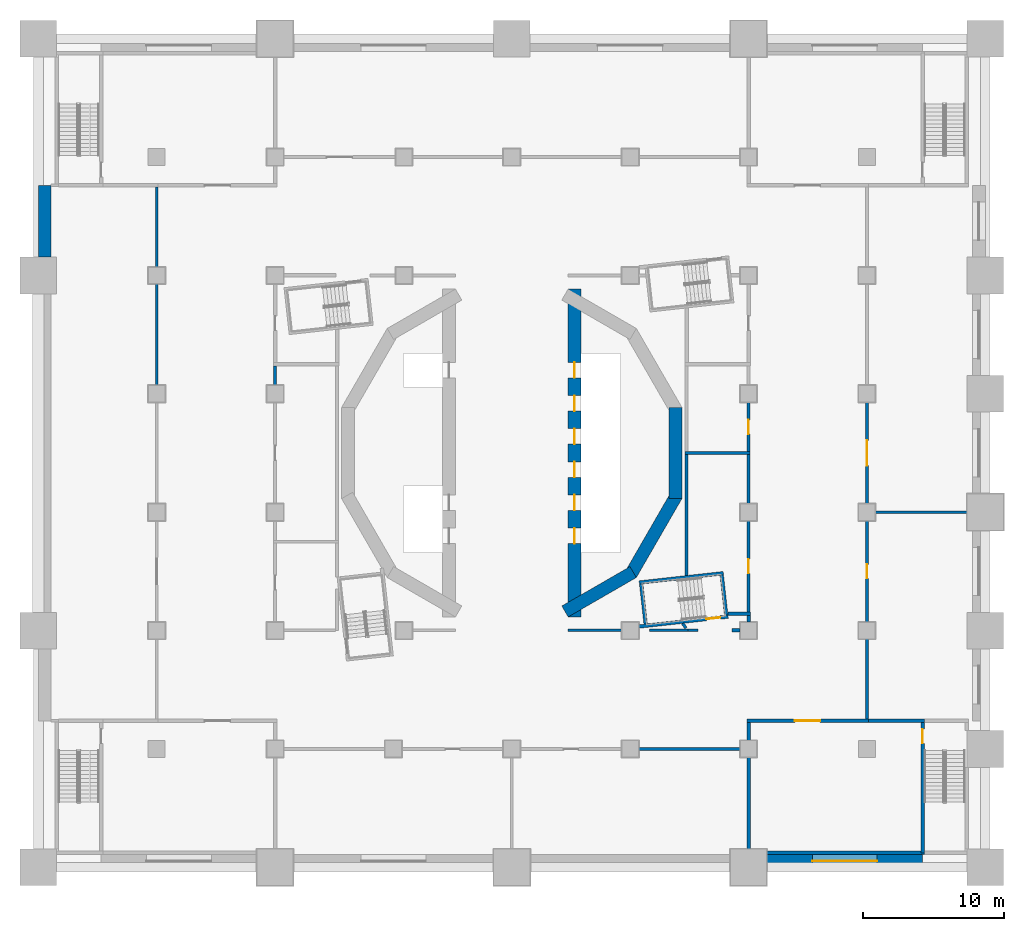
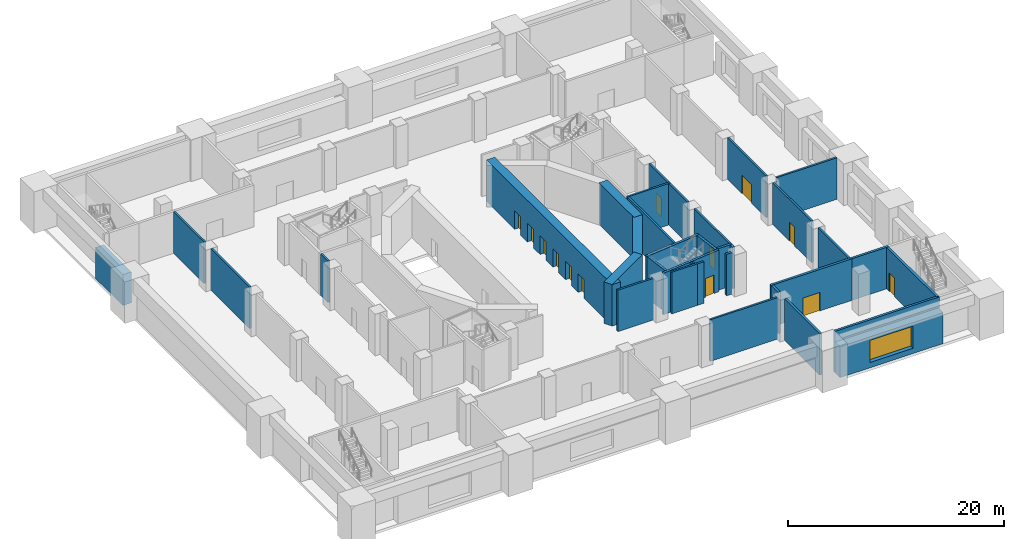
# One storey, part 3 of 17: 36 walls, 13 doors, 1 window, 14 openings.
"""IFC4 building model written with IfcOpenShell, lengths in metres."""

import ifcopenshell
import ifcopenshell.guid

model = None  # the IFC model being written
_history = None  # IfcOwnerHistory: only IFC2X3 demands one
_inside = {}  # id of a spatial element -> (the spatial element, [elements in it])
_under = {}  # id of a project, library or spatial element -> (it, [spatial elements below it])
_declared = {}  # id of a project -> (the project, [libraries it declares])
_typed = {}  # id of a type object -> (the type object, [elements of that type])
_made_of = {}  # id of a material, layer set ... -> (it, [elements and type objects made of it])


def new_model(schema):
    """Start an empty IFC model of exactly this schema.

    Asked for "IFC4X3", IfcOpenShell would pick the latest addendum, in which some entities
    have other attributes; the version numbers below select the first issue.
    IFC2X3 requires an IfcOwnerHistory on every rooted entity: one is made here for all.
    """
    global model, _history
    if schema == "IFC4X3":
        model = ifcopenshell.file(schema_version=(4, 3, 0, 0))
    else:
        model = ifcopenshell.file(schema=schema)
    _inside.clear()
    _under.clear()
    _declared.clear()
    _typed.clear()
    _made_of.clear()
    _history = None
    if model.schema == "IFC2X3":
        org = make("IfcOrganization", Name="unknown")
        user = make(
            "IfcPersonAndOrganization",
            ThePerson=make("IfcPerson", FamilyName="unknown"),
            TheOrganization=org,
        )
        app = make(
            "IfcApplication",
            ApplicationDeveloper=org,
            Version="unknown",
            ApplicationFullName="unknown",
            ApplicationIdentifier="unknown",
        )
        _history = make(
            "IfcOwnerHistory",
            OwningUser=user,
            OwningApplication=app,
            ChangeAction="ADDED",
            CreationDate=0,
        )
    return model


def make(cls, **values):
    """One entity of the class cls with the attributes given. An attribute that is None is left unset."""
    return model.create_entity(
        cls, **{name: value for name, value in values.items() if value is not None}
    )


def rooted(cls, **values):
    """An entity with a GlobalId (a new one), such as an element, a storey or a relation."""
    return make(cls, GlobalId=ifcopenshell.guid.new(), OwnerHistory=_history, **values)


def si_unit(unit_type, name, prefix=None):
    """IfcSIUnit, for example si_unit("LENGTHUNIT", "METRE", prefix="MILLI")."""
    return make("IfcSIUnit", UnitType=unit_type, Prefix=prefix, Name=name)


def assignment(units):
    """IfcUnitAssignment: the units of a project."""
    return None if units is None else make("IfcUnitAssignment", Units=units)


def point(xyz):
    """IfcCartesianPoint."""
    return None if xyz is None else make("IfcCartesianPoint", Coordinates=xyz)


def direction(xyz):
    """IfcDirection."""
    return None if xyz is None else make("IfcDirection", DirectionRatios=xyz)


def frame(location, z_axis=None, x_axis=None):
    """IfcAxis2Placement3D, a coordinate frame: its origin and axes. An axis left out is left unset."""
    return make(
        "IfcAxis2Placement3D",
        Location=point(location),
        Axis=direction(z_axis),
        RefDirection=direction(x_axis),
    )


def frame_2d(location, x_axis=None):
    """IfcAxis2Placement2D, a coordinate frame in the plane: its origin and x axis."""
    return make(
        "IfcAxis2Placement2D", Location=point(location), RefDirection=direction(x_axis)
    )


def origin():
    """The frame at (0, 0, 0) with its axes left unset."""
    return frame((0.0, 0.0, 0.0))


def place(relative_to, where):
    """IfcLocalPlacement: puts the frame where relative to a parent placement (None: the world)."""
    return make(
        "IfcLocalPlacement", PlacementRelTo=relative_to, RelativePlacement=where
    )


def context(
    kind, dimensions, precision=None, world=None, true_north=None, identifier=None
):
    """IfcGeometricRepresentationContext, for example the 3D "Model" context."""
    return make(
        "IfcGeometricRepresentationContext",
        ContextIdentifier=identifier,
        ContextType=kind,
        CoordinateSpaceDimension=dimensions,
        Precision=precision,
        WorldCoordinateSystem=world,
        TrueNorth=true_north,
    )


def subcontext(parent, identifier, kind, view, scale=None):
    """IfcGeometricRepresentationSubContext, for example "Body" below "Model"."""
    return make(
        "IfcGeometricRepresentationSubContext",
        ContextIdentifier=identifier,
        ContextType=kind,
        ParentContext=parent,
        TargetScale=scale,
        TargetView=view,
    )


def project(units=None, contexts=None):
    """IfcProject with its units and contexts."""
    return rooted(
        "IfcProject",
        Name="project",
        RepresentationContexts=contexts,
        UnitsInContext=assignment(units),
    )


def spatial(cls, under=None, at=None, **own):
    """A site, building, storey or space (cls), placed at a placement, below another one or the project."""
    s = rooted(cls, ObjectPlacement=at, **own)
    if under is not None:
        _under.setdefault(under.id(), (under, []))[1].append(s)
    return s


def profile(cls, at=None, kind="AREA", **sizes):
    """A parametric profile (cls). Its sizes go by their IFC names, for example OverallWidth=200.0."""
    return make(cls, ProfileType=kind, Position=at, **sizes)


def rectangle(**sizes):
    """IfcRectangleProfileDef."""
    return profile("IfcRectangleProfileDef", **sizes)


def extrude(swept, where, along, depth):
    """IfcExtrudedAreaSolid: the profile swept, set in the frame where, extruded along a direction by depth."""
    return make(
        "IfcExtrudedAreaSolid",
        SweptArea=swept,
        Position=where,
        ExtrudedDirection=direction(along),
        Depth=depth,
    )


def shape(context_of_items, identifier, shape_type, items):
    """IfcShapeRepresentation: the items that make up one representation, for example the "Body"."""
    return make(
        "IfcShapeRepresentation",
        ContextOfItems=context_of_items,
        RepresentationIdentifier=identifier,
        RepresentationType=shape_type,
        Items=items,
    )


def material(Name=None, Category=None):
    """IfcMaterial."""
    return make("IfcMaterial", Name=Name, Category=Category)


def layer(
    of_material, thickness, ventilated=None, Name=None, Category=None, Priority=None
):
    """IfcMaterialLayer: one layer of a wall or slab, of a material (None: an air gap)."""
    return make(
        "IfcMaterialLayer",
        Material=of_material,
        LayerThickness=thickness,
        IsVentilated=ventilated,
        Name=Name,
        Category=Category,
        Priority=Priority,
    )


def layer_set(layers, Name=None):
    """IfcMaterialLayerSet."""
    return make("IfcMaterialLayerSet", MaterialLayers=layers, LayerSetName=Name)


def made_of(thing, what):
    """Note that an element or type object is made of a material, layer set ...; save() writes the relation."""
    if what is not None:
        _made_of.setdefault(what.id(), (what, []))[1].append(thing)
    return thing


def type_object(cls, material=None, **own):
    """A type object (cls), such as IfcWallType, which elements share."""
    return made_of(rooted(cls, **own), material)


def element(
    cls,
    number,
    at=None,
    inside=None,
    cuts=None,
    type_object=None,
    material=None,
    context=None,
    identifier="Body",
    shape_type=None,
    held_by="IfcProductDefinitionShape",
    body=None,
    shapes=None,
    **own,
):
    """One element of the class cls, such as IfcWall. Its Tag is "e" and its number.

    at: its placement. inside: the storey or other place that contains it. cuts: it is an
    opening in that element (IfcRelVoidsElement). A single representation is given by context,
    identifier, shape_type and body (its items); several are given by shapes. held_by: the class
    of the entity that holds the representations. save() writes the other relations.
    """
    e = rooted(cls, Tag="e%d" % number, ObjectPlacement=at, **own)
    if body is not None:
        shapes = [shape(context, identifier, shape_type, body)]
    if shapes is not None:
        e.Representation = make(held_by, Representations=shapes)
    if inside is not None:
        _inside.setdefault(inside.id(), (inside, []))[1].append(e)
    if cuts is not None:
        rooted(
            "IfcRelVoidsElement", RelatingBuildingElement=cuts, RelatedOpeningElement=e
        )
    if type_object is not None:
        _typed.setdefault(type_object.id(), (type_object, []))[1].append(e)
    return made_of(e, material)


def fill(opening, filler):
    """IfcRelFillsElement: the door or window that sits in an opening."""
    return rooted(
        "IfcRelFillsElement",
        RelatingOpeningElement=opening,
        RelatedBuildingElement=filler,
    )


def aggregate(whole, parts):
    """IfcRelAggregates: a whole, such as a stair, and the parts it consists of."""
    return rooted("IfcRelAggregates", RelatingObject=whole, RelatedObjects=parts)


def save(model, path):
    """Write the relations noted so far, then the file.

    IfcRelAggregates (storeys below a building ...), IfcRelContainedInSpatialStructure (elements
    in a storey), IfcRelDefinesByType, IfcRelAssociatesMaterial and IfcRelDeclares: one each for
    every whole, place, type object, material and project.
    """
    for whole, parts in _under.values():
        aggregate(whole, parts)
    for where, things in _inside.values():
        rooted(
            "IfcRelContainedInSpatialStructure",
            RelatedElements=things,
            RelatingStructure=where,
        )
    for kind, things in _typed.values():
        rooted("IfcRelDefinesByType", RelatedObjects=things, RelatingType=kind)
    for what, things in _made_of.values():
        rooted("IfcRelAssociatesMaterial", RelatedObjects=things, RelatingMaterial=what)
    for by, libraries in _declared.values():
        rooted("IfcRelDeclares", RelatingContext=by, RelatedDefinitions=libraries)
    model.write(path)


model = new_model("IFC4")

# Units and contexts
model_context = context("Model", 3, precision=1e-05, world=origin(), true_north=direction((0.0, 1.0)))
body_context = subcontext(model_context, "Body", "Model", "MODEL_VIEW")
ifc_project = project(units=[si_unit("LENGTHUNIT", "METRE"), si_unit("AREAUNIT", "SQUARE_METRE"), si_unit("VOLUMEUNIT", "CUBIC_METRE"), si_unit("PLANEANGLEUNIT", "RADIAN"), si_unit("MASSUNIT", "GRAM", prefix="KILO")], contexts=[model_context])

# Site, building, storey
site_placement = place(None, origin())
site = spatial("IfcSite", under=ifc_project, at=site_placement, CompositionType="ELEMENT")
building_placement = place(site_placement, origin())
building = spatial("IfcBuilding", under=site, at=building_placement, Name="Cantera Rosa Tower", CompositionType="ELEMENT")
storey_placement = place(building_placement, frame((0.0, 0.0, 27.0)))
storey = spatial("IfcBuildingStorey", under=building, at=storey_placement, Name="L04", CompositionType="ELEMENT", Elevation=27.0)

# Walls
ifc_material_1 = material(Name="Masonry blockwork", Category="masonry")
ifc_layer_1 = layer(ifc_material_1, 0.199951171875)
ifc_layer_set_1 = layer_set([ifc_layer_1], Name="Blockwork partition 200")
wall_type_1 = type_object("IfcWallType", Name="Blockwork partition 200", PredefinedType="PARTITIONING", material=ifc_layer_set_1)
wall_1_placement = place(storey_placement, frame((4.0, -12.57666015625, 0.0), z_axis=(0.0, 0.0, 1.0), x_axis=(1.0, 0.0, 0.0)))
element("IfcWall", 1, at=wall_1_placement, inside=storey, type_object=wall_type_1, Name="Partition L04-3", PredefinedType="PARTITIONING", context=body_context, shape_type="SweptSolid", body=[
    extrude(rectangle(XDim=3.800048828125, YDim=0.199951171875, at=frame_2d((1.89990234375, 0.0))), origin(), (0.0, 0.0, 1.0), 4.699951171875),
])
wall_2_placement = place(storey_placement, frame((9.768798828125, -12.57666015625, 0.0), z_axis=(0.0, 0.0, 1.0), x_axis=(1.0, 0.0, 0.0)))
element("IfcWall", 2, at=wall_2_placement, inside=storey, type_object=wall_type_1, Name="Partition L04-4", PredefinedType="PARTITIONING", context=body_context, shape_type="SweptSolid", body=[
    extrude(rectangle(XDim=2.731201171875, YDim=0.199951171875, at=frame_2d((1.36572265625, 0.0))), origin(), (0.0, 0.0, 1.0), 4.699951171875),
])
wall_3_placement = place(storey_placement, frame((12.5, -12.57666015625, 0.0), z_axis=(0.0, 0.0, 1.0), x_axis=(1.0, 0.0, 0.0)))
element("IfcWall", 3, at=wall_3_placement, inside=storey, type_object=wall_type_1, Name="Partition L04-5", PredefinedType="PARTITIONING", context=body_context, shape_type="SweptSolid", body=[
    extrude(rectangle(XDim=0.69873046875, YDim=0.199951171875, at=frame_2d((0.349365234375, 0.0))), origin(), (0.0, 0.0, 1.0), 4.699951171875),
])
wall_4_placement = place(storey_placement, frame((12.36474609375, -12.427978515625, 0.0), z_axis=(0.0, 0.0, 1.0), x_axis=(-0.586657106045, 0.809835440029, 0.0)))
element("IfcWall", 4, at=wall_4_placement, inside=storey, type_object=wall_type_1, Name="Partition L04-17", PredefinedType="PARTITIONING", context=body_context, shape_type="SweptSolid", body=[
    extrude(rectangle(XDim=0.412353515625, YDim=0.199951171875, at=frame_2d((0.2060546875, 0.0))), origin(), (0.0, 0.0, 1.0), 4.699951171875),
])
wall_5_placement = place(storey_placement, frame((12.39990234375, -8.6923828125, 0.0), z_axis=(0.0, 0.0, 1.0), x_axis=(0.0, 1.0, 0.0)))
element("IfcWall", 5, at=wall_5_placement, inside=storey, type_object=wall_type_1, Name="Partition L04-18", PredefinedType="PARTITIONING", context=body_context, shape_type="SweptSolid", body=[
    extrude(rectangle(XDim=8.59228515625, YDim=0.199951171875, at=frame_2d((4.296142578125, 0.0))), origin(), (0.0, 0.0, 1.0), 4.699951171875),
])
wall_6_placement = place(storey_placement, frame((12.300048828125, 0.0, 0.0), z_axis=(0.0, 0.0, 1.0), x_axis=(1.0, 0.0, 0.0)))
element("IfcWall", 6, at=wall_6_placement, inside=storey, type_object=wall_type_1, Name="Partition L04-21", PredefinedType="PARTITIONING", context=body_context, shape_type="SweptSolid", body=[
    extrude(rectangle(XDim=4.599853515625, YDim=0.199951171875, at=frame_2d((2.2998046875, 0.0))), origin(), (0.0, 0.0, 1.0), 4.699951171875),
])

# Wall, opening, door
wall_7_placement = place(storey_placement, frame((16.800048828125, -11.27490234375, 0.0), z_axis=(0.0, 0.0, 1.0), x_axis=(0.0, 1.0, 0.0)))
wall_7 = element("IfcWall", 7, at=wall_7_placement, inside=storey, type_object=wall_type_1, Name="Partition L04-25", PredefinedType="PARTITIONING", context=body_context, shape_type="SweptSolid", body=[
    extrude(rectangle(XDim=6.474853515625, YDim=0.199951171875, at=frame_2d((3.2373046875, 0.0))), origin(), (0.0, 0.0, 1.0), 4.699951171875),
])
opening_1_placement = place(wall_7_placement, frame((2.737548828125, 0.0, 0.0)))
opening_1 = element("IfcOpeningElement", 8, at=opening_1_placement, cuts=wall_7, Name="Opening L04-007", PredefinedType="OPENING", context=body_context, shape_type="SweptSolid", body=[
    extrude(rectangle(XDim=1.0, YDim=2.10009765625, at=frame_2d((0.5, 1.050048828125))), frame((0.0, 0.10986328125, 0.0), z_axis=(0.0, -1.0, 0.0), x_axis=(1.0, 0.0, 0.0)), (0.0, 0.0, 1.0), 0.219970703125),
])
ifc_material_2 = material(Name="Timber", Category="wood")
door_type_1 = type_object("IfcDoorType", Name="Door 1000x2100", OperationType="NOTDEFINED", PredefinedType="DOOR", material=ifc_material_2)
door_1_placement = place(opening_1_placement, origin())
door_1 = element("IfcDoor", 9, at=door_1_placement, inside=storey, type_object=door_type_1, Name="Door L04-007", OverallHeight=2.10009765625, OverallWidth=1.0, PredefinedType="DOOR", context=body_context, shape_type="SweptSolid", body=[
    extrude(rectangle(XDim=1.0, YDim=2.10009765625, at=frame_2d((0.5, 1.050048828125))), frame((0.0, 0.02490234375, 0.0), z_axis=(0.0, -1.0, 0.0), x_axis=(1.0, 0.0, 0.0)), (0.0, 0.0, 1.0), 0.050048828125),
])
fill(opening_1, door_1)

# Wall
wall_8_placement = place(storey_placement, frame((16.800048828125, -3.60009765625, 0.0), z_axis=(0.0, 0.0, 1.0), x_axis=(0.0, 1.0, 0.0)))
element("IfcWall", 10, at=wall_8_placement, inside=storey, type_object=wall_type_1, Name="Partition L04-26", PredefinedType="PARTITIONING", context=body_context, shape_type="SweptSolid", body=[
    extrude(rectangle(XDim=3.5, YDim=0.199951171875, at=frame_2d((1.75, 0.0))), origin(), (0.0, 0.0, 1.0), 4.699951171875),
])

# Wall, opening, door
wall_9_placement = place(storey_placement, frame((16.800048828125, 0.10009765625, 0.0), z_axis=(0.0, 0.0, 1.0), x_axis=(0.0, 1.0, 0.0)))
wall_9 = element("IfcWall", 11, at=wall_9_placement, inside=storey, type_object=wall_type_1, Name="Partition L04-27", PredefinedType="PARTITIONING", context=body_context, shape_type="SweptSolid", body=[
    extrude(rectangle(XDim=3.5, YDim=0.199951171875, at=frame_2d((1.75, 0.0))), origin(), (0.0, 0.0, 1.0), 4.699951171875),
])
opening_2_placement = place(wall_9_placement, frame((1.25, 0.0, 0.0)))
opening_2 = element("IfcOpeningElement", 12, at=opening_2_placement, cuts=wall_9, Name="Opening L04-008", PredefinedType="OPENING", context=body_context, shape_type="SweptSolid", body=[
    extrude(rectangle(XDim=1.0, YDim=2.10009765625, at=frame_2d((0.5, 1.050048828125))), frame((0.0, 0.10986328125, 0.0), z_axis=(0.0, -1.0, 0.0), x_axis=(1.0, 0.0, 0.0)), (0.0, 0.0, 1.0), 0.219970703125),
])
door_2_placement = place(opening_2_placement, origin())
door_2 = element("IfcDoor", 13, at=door_2_placement, inside=storey, type_object=door_type_1, Name="Door L04-008", OverallHeight=2.10009765625, OverallWidth=1.0, PredefinedType="DOOR", context=body_context, shape_type="SweptSolid", body=[
    extrude(rectangle(XDim=1.0, YDim=2.10009765625, at=frame_2d((0.5, 1.050048828125))), frame((0.0, 0.02490234375, 0.0), z_axis=(0.0, -1.0, 0.0), x_axis=(1.0, 0.0, 0.0)), (0.0, 0.0, 1.0), 0.050048828125),
])
fill(opening_2, door_2)

# Walls
wall_10_placement = place(storey_placement, frame((-16.800048828125, 4.800048828125, 0.0), z_axis=(0.0, 0.0, 1.0), x_axis=(0.0, 1.0, 0.0)))
element("IfcWall", 14, at=wall_10_placement, inside=storey, type_object=wall_type_1, Name="Partition L04-40", PredefinedType="PARTITIONING", context=body_context, shape_type="SweptSolid", body=[
    extrude(rectangle(XDim=1.375, YDim=0.199951171875, at=frame_2d((0.6875, 0.0))), origin(), (0.0, 0.0, 1.0), 4.699951171875),
])
wall_11_placement = place(storey_placement, frame((9.0, -21.0, 0.0), z_axis=(0.0, 0.0, 1.0), x_axis=(1.0, 0.0, 0.0)))
element("IfcWall", 15, at=wall_11_placement, inside=storey, type_object=wall_type_1, Name="Partition L04-84", PredefinedType="PARTITIONING", context=body_context, shape_type="SweptSolid", body=[
    extrude(rectangle(XDim=7.199951171875, YDim=0.199951171875, at=frame_2d((3.60009765625, 0.0))), origin(), (0.0, 0.0, 1.0), 4.699951171875),
])
wall_12_placement = place(storey_placement, frame((25.800048828125, -4.199951171875, 0.0), z_axis=(0.0, 0.0, 1.0), x_axis=(1.0, 0.0, 0.0)))
element("IfcWall", 16, at=wall_12_placement, inside=storey, type_object=wall_type_1, Name="Partition L04-85", PredefinedType="PARTITIONING", context=body_context, shape_type="SweptSolid", body=[
    extrude(rectangle(XDim=6.5, YDim=0.199951171875, at=frame_2d((3.25, 0.0))), origin(), (0.0, 0.0, 1.0), 4.699951171875),
])
wall_13_placement = place(storey_placement, frame((25.199951171875, -18.875, 0.0), z_axis=(0.0, 0.0, 1.0), x_axis=(0.0, 1.0, 0.0)))
element("IfcWall", 17, at=wall_13_placement, inside=storey, type_object=wall_type_1, Name="Partition L04-86", PredefinedType="PARTITIONING", context=body_context, shape_type="SweptSolid", body=[
    extrude(rectangle(XDim=5.675048828125, YDim=0.199951171875, at=frame_2d((2.83740234375, 0.0))), origin(), (0.0, 0.0, 1.0), 4.699951171875),
])

# Wall, opening, door
wall_14_placement = place(storey_placement, frame((25.199951171875, -12.0, 0.0), z_axis=(0.0, 0.0, 1.0), x_axis=(0.0, 1.0, 0.0)))
wall_14 = element("IfcWall", 18, at=wall_14_placement, inside=storey, type_object=wall_type_1, Name="Partition L04-87", PredefinedType="PARTITIONING", context=body_context, shape_type="SweptSolid", body=[
    extrude(rectangle(XDim=7.199951171875, YDim=0.199951171875, at=frame_2d((3.60009765625, 0.0))), origin(), (0.0, 0.0, 1.0), 4.699951171875),
])
opening_3_placement = place(wall_14_placement, frame((3.10009765625, 0.0, 0.0)))
opening_3 = element("IfcOpeningElement", 19, at=opening_3_placement, cuts=wall_14, Name="Opening L04-004", PredefinedType="OPENING", context=body_context, shape_type="SweptSolid", body=[
    extrude(rectangle(XDim=1.0, YDim=2.10009765625, at=frame_2d((0.5, 1.050048828125))), frame((0.0, 0.10986328125, 0.0), z_axis=(0.0, -1.0, 0.0), x_axis=(1.0, 0.0, 0.0)), (0.0, 0.0, 1.0), 0.219970703125),
])
door_3_placement = place(opening_3_placement, origin())
door_3 = element("IfcDoor", 20, at=door_3_placement, inside=storey, type_object=door_type_1, Name="Door L04-004", OverallHeight=2.10009765625, OverallWidth=1.0, PredefinedType="DOOR", context=body_context, shape_type="SweptSolid", body=[
    extrude(rectangle(XDim=1.0, YDim=2.10009765625, at=frame_2d((0.5, 1.050048828125))), frame((0.0, 0.02490234375, 0.0), z_axis=(0.0, -1.0, 0.0), x_axis=(1.0, 0.0, 0.0)), (0.0, 0.0, 1.0), 0.050048828125),
])
fill(opening_3, door_3)

wall_15_placement = place(storey_placement, frame((25.199951171875, -3.60009765625, 0.0), z_axis=(0.0, 0.0, 1.0), x_axis=(0.0, 1.0, 0.0)))
wall_15 = element("IfcWall", 21, at=wall_15_placement, inside=storey, type_object=wall_type_1, Name="Partition L04-88", PredefinedType="PARTITIONING", context=body_context, shape_type="SweptSolid", body=[
    extrude(rectangle(XDim=7.2001953125, YDim=0.199951171875, at=frame_2d((3.60009765625, 0.0))), origin(), (0.0, 0.0, 1.0), 4.699951171875),
])
opening_4_placement = place(wall_15_placement, frame((2.699951171875, 0.0, 0.0)))
opening_4 = element("IfcOpeningElement", 22, at=opening_4_placement, cuts=wall_15, Name="Opening L04-005", PredefinedType="OPENING", context=body_context, shape_type="SweptSolid", body=[
    extrude(rectangle(XDim=1.800048828125, YDim=2.10009765625, at=frame_2d((0.89990234375, 1.050048828125))), frame((0.0, 0.10986328125, 0.0), z_axis=(0.0, -1.0, 0.0), x_axis=(1.0, 0.0, 0.0)), (0.0, 0.0, 1.0), 0.219970703125),
])
ifc_material_3 = material(Name="Timber", Category="wood")
door_type_2 = type_object("IfcDoorType", Name="Double door 1800x2100", OperationType="NOTDEFINED", PredefinedType="DOOR", material=ifc_material_3)
door_4_placement = place(opening_4_placement, origin())
door_4 = element("IfcDoor", 23, at=door_4_placement, inside=storey, type_object=door_type_2, Name="Door L04-005", OperationType="DOUBLE_DOOR_SINGLE_SWING", OverallHeight=2.10009765625, OverallWidth=1.800048828125, PredefinedType="DOOR", context=body_context, shape_type="SweptSolid", body=[
    extrude(rectangle(XDim=1.800048828125, YDim=2.10009765625, at=frame_2d((0.89990234375, 1.050048828125))), frame((0.0, 0.02490234375, 0.0), z_axis=(0.0, -1.0, 0.0), x_axis=(1.0, 0.0, 0.0)), (0.0, 0.0, 1.0), 0.050048828125),
])
fill(opening_4, door_4)

# Walls
wall_16_placement = place(storey_placement, frame((-25.199951171875, 4.800048828125, 0.0), z_axis=(0.0, 0.0, 1.0), x_axis=(0.0, 1.0, 0.0)))
element("IfcWall", 24, at=wall_16_placement, inside=storey, type_object=wall_type_1, Name="Partition L04-94", PredefinedType="PARTITIONING", context=body_context, shape_type="SweptSolid", body=[
    extrude(rectangle(XDim=7.199951171875, YDim=0.199951171875, at=frame_2d((3.60009765625, 0.0))), origin(), (0.0, 0.0, 1.0), 4.699951171875),
])
wall_17_placement = place(storey_placement, frame((-25.199951171875, 13.199951171875, 0.0), z_axis=(0.0, 0.0, 1.0), x_axis=(0.0, 1.0, 0.0)))
element("IfcWall", 25, at=wall_17_placement, inside=storey, type_object=wall_type_1, Name="Partition L04-95", PredefinedType="PARTITIONING", context=body_context, shape_type="SweptSolid", body=[
    extrude(rectangle(XDim=5.675048828125, YDim=0.199951171875, at=frame_2d((2.83740234375, 0.0))), origin(), (0.0, 0.0, 1.0), 4.699951171875),
])
ifc_material_4 = material(Name="Concrete C70/85", Category="concrete")
ifc_layer_2 = layer(ifc_material_4, 0.89990234375)
ifc_layer_set_2 = layer_set([ifc_layer_2], Name="Drum wall 900")
wall_type_2 = type_object("IfcWallType", Name="Drum wall 900", PredefinedType="SHEAR", material=ifc_layer_set_2)
wall_18_placement = place(storey_placement, frame((11.6240234375, 3.2353515625, 0.0), z_axis=(0.0, 0.0, 1.0), x_axis=(0.0, -1.0, 0.0)))
element("IfcWall", 26, at=wall_18_placement, inside=storey, type_object=wall_type_2, Name="Drum wall east 3 L04", PredefinedType="SHEAR", context=body_context, shape_type="SweptSolid", body=[
    extrude(rectangle(XDim=6.470703125, YDim=0.89990234375, at=frame_2d((3.2353515625, 0.0))), origin(), (0.0, 0.0, 1.0), 4.699951171875),
])
wall_19_placement = place(storey_placement, frame((11.684326171875, -3.01025390625, 0.0), z_axis=(0.0, 0.0, 1.0), x_axis=(-0.499990282633, -0.866031014036, 0.0)))
element("IfcWall", 27, at=wall_19_placement, inside=storey, type_object=wall_type_2, Name="Drum wall east 4 L04", PredefinedType="SHEAR", context=body_context, shape_type="SweptSolid", body=[
    extrude(rectangle(XDim=6.470458984375, YDim=0.89990234375, at=frame_2d((3.2353515625, 0.0))), origin(), (0.0, 0.0, 1.0), 4.699951171875),
])
wall_20_placement = place(storey_placement, frame((8.61376953125, -8.44921875, 0.0), z_axis=(0.0, 0.0, 1.0), x_axis=(-0.866026961591, -0.49999730179, 0.0)))
element("IfcWall", 28, at=wall_20_placement, inside=storey, type_object=wall_type_2, Name="Drum wall east 5 L04", PredefinedType="SHEAR", context=body_context, shape_type="SweptSolid", body=[
    extrude(rectangle(XDim=5.58740234375, YDim=0.89990234375, at=frame_2d((2.793701171875, 0.0))), origin(), (0.0, 0.0, 1.0), 4.699951171875),
])

# Wall, openings, doors
wall_21_placement = place(storey_placement, frame((4.449951171875, -11.632568359375, 0.0), z_axis=(0.0, 0.0, 1.0), x_axis=(0.0, 1.0, 0.0)))
wall_21 = element("IfcWall", 29, at=wall_21_placement, inside=storey, type_object=wall_type_2, Name="Drum wall east 6 L04", PredefinedType="SHEAR", context=body_context, shape_type="SweptSolid", body=[
    extrude(rectangle(XDim=23.26513671875, YDim=0.89990234375, at=frame_2d((11.632568359375, 0.0))), origin(), (0.0, 0.0, 1.0), 4.699951171875),
])
opening_5_placement = place(wall_21_placement, frame((7.5576171875, 0.0, 0.0)))
opening_5 = element("IfcOpeningElement", 30, at=opening_5_placement, cuts=wall_21, Name="Opening LD-FF1-L04", PredefinedType="OPENING", context=body_context, shape_type="SweptSolid", body=[
    extrude(rectangle(XDim=1.10009765625, YDim=2.10009765625, at=frame_2d((0.550048828125, 1.050048828125))), frame((0.0, 0.4599609375, 0.0), z_axis=(0.0, -1.0, 0.0), x_axis=(1.0, 0.0, 0.0)), (0.0, 0.0, 1.0), 0.919921875),
])
opening_6_placement = place(wall_21_placement, frame((9.907470703125, 0.0, 0.0)))
opening_6 = element("IfcOpeningElement", 31, at=opening_6_placement, cuts=wall_21, Name="Opening LD-FF2-L04", PredefinedType="OPENING", context=body_context, shape_type="SweptSolid", body=[
    extrude(rectangle(XDim=1.10009765625, YDim=2.10009765625, at=frame_2d((0.550048828125, 1.050048828125))), frame((0.0, 0.4599609375, 0.0), z_axis=(0.0, -1.0, 0.0), x_axis=(1.0, 0.0, 0.0)), (0.0, 0.0, 1.0), 0.919921875),
])
opening_7_placement = place(wall_21_placement, frame((12.257568359375, 0.0, 0.0)))
opening_7 = element("IfcOpeningElement", 32, at=opening_7_placement, cuts=wall_21, Name="Opening LD-P1-L04", PredefinedType="OPENING", context=body_context, shape_type="SweptSolid", body=[
    extrude(rectangle(XDim=1.10009765625, YDim=2.10009765625, at=frame_2d((0.550048828125, 1.050048828125))), frame((0.0, 0.4599609375, 0.0), z_axis=(0.0, -1.0, 0.0), x_axis=(1.0, 0.0, 0.0)), (0.0, 0.0, 1.0), 0.919921875),
])
opening_8_placement = place(wall_21_placement, frame((14.607421875, 0.0, 0.0)))
opening_8 = element("IfcOpeningElement", 33, at=opening_8_placement, cuts=wall_21, Name="Opening LD-P2-L04", PredefinedType="OPENING", context=body_context, shape_type="SweptSolid", body=[
    extrude(rectangle(XDim=1.10009765625, YDim=2.10009765625, at=frame_2d((0.550048828125, 1.050048828125))), frame((0.0, 0.4599609375, 0.0), z_axis=(0.0, -1.0, 0.0), x_axis=(1.0, 0.0, 0.0)), (0.0, 0.0, 1.0), 0.919921875),
])
opening_9_placement = place(wall_21_placement, frame((5.20751953125, 0.0, 0.0)))
opening_9 = element("IfcOpeningElement", 34, at=opening_9_placement, cuts=wall_21, Name="Opening LD-P6-L04", PredefinedType="OPENING", context=body_context, shape_type="SweptSolid", body=[
    extrude(rectangle(XDim=1.10009765625, YDim=2.10009765625, at=frame_2d((0.550048828125, 1.050048828125))), frame((0.0, 0.4599609375, 0.0), z_axis=(0.0, -1.0, 0.0), x_axis=(1.0, 0.0, 0.0)), (0.0, 0.0, 1.0), 0.919921875),
])
opening_10_placement = place(wall_21_placement, frame((16.95751953125, 0.0, 0.0)))
opening_10 = element("IfcOpeningElement", 35, at=opening_10_placement, cuts=wall_21, Name="Opening LD-PC1-L04", PredefinedType="OPENING", context=body_context, shape_type="SweptSolid", body=[
    extrude(rectangle(XDim=1.10009765625, YDim=2.10009765625, at=frame_2d((0.550048828125, 1.050048828125))), frame((0.0, 0.4599609375, 0.0), z_axis=(0.0, -1.0, 0.0), x_axis=(1.0, 0.0, 0.0)), (0.0, 0.0, 1.0), 0.919921875),
])
ifc_material_5 = material(Name="Steel S355J2 (EN 10025-2)", Category="steel")
door_type_3 = type_object("IfcDoorType", Name="LANDING DOOR 1100x2100", OperationType="NOTDEFINED", PredefinedType="DOOR", material=ifc_material_5)
door_5_placement = place(opening_5_placement, origin())
door_5 = element("IfcDoor", 36, at=door_5_placement, inside=storey, type_object=door_type_3, Name="LANDING DOOR FF1 L04", OperationType="SLIDING_TO_LEFT", OverallHeight=2.10009765625, OverallWidth=1.10009765625, PredefinedType="DOOR", context=body_context, shape_type="SweptSolid", body=[
    extrude(rectangle(XDim=1.10009765625, YDim=2.10009765625, at=frame_2d((0.550048828125, 1.050048828125))), frame((0.0, 0.02490234375, 0.0), z_axis=(0.0, -1.0, 0.0), x_axis=(1.0, 0.0, 0.0)), (0.0, 0.0, 1.0), 0.050048828125),
])
fill(opening_5, door_5)
door_6_placement = place(opening_6_placement, origin())
door_6 = element("IfcDoor", 37, at=door_6_placement, inside=storey, type_object=door_type_3, Name="LANDING DOOR FF2 L04", OperationType="SLIDING_TO_LEFT", OverallHeight=2.10009765625, OverallWidth=1.10009765625, PredefinedType="DOOR", context=body_context, shape_type="SweptSolid", body=[
    extrude(rectangle(XDim=1.10009765625, YDim=2.10009765625, at=frame_2d((0.550048828125, 1.050048828125))), frame((0.0, 0.02490234375, 0.0), z_axis=(0.0, -1.0, 0.0), x_axis=(1.0, 0.0, 0.0)), (0.0, 0.0, 1.0), 0.050048828125),
])
fill(opening_6, door_6)
door_7_placement = place(opening_7_placement, origin())
door_7 = element("IfcDoor", 38, at=door_7_placement, inside=storey, type_object=door_type_3, Name="LANDING DOOR P1 L04", OperationType="SLIDING_TO_LEFT", OverallHeight=2.10009765625, OverallWidth=1.10009765625, PredefinedType="DOOR", context=body_context, shape_type="SweptSolid", body=[
    extrude(rectangle(XDim=1.10009765625, YDim=2.10009765625, at=frame_2d((0.550048828125, 1.050048828125))), frame((0.0, 0.02490234375, 0.0), z_axis=(0.0, -1.0, 0.0), x_axis=(1.0, 0.0, 0.0)), (0.0, 0.0, 1.0), 0.050048828125),
])
fill(opening_7, door_7)
door_8_placement = place(opening_8_placement, origin())
door_8 = element("IfcDoor", 39, at=door_8_placement, inside=storey, type_object=door_type_3, Name="LANDING DOOR P2 L04", OperationType="SLIDING_TO_LEFT", OverallHeight=2.10009765625, OverallWidth=1.10009765625, PredefinedType="DOOR", context=body_context, shape_type="SweptSolid", body=[
    extrude(rectangle(XDim=1.10009765625, YDim=2.10009765625, at=frame_2d((0.550048828125, 1.050048828125))), frame((0.0, 0.02490234375, 0.0), z_axis=(0.0, -1.0, 0.0), x_axis=(1.0, 0.0, 0.0)), (0.0, 0.0, 1.0), 0.050048828125),
])
fill(opening_8, door_8)
door_9_placement = place(opening_9_placement, origin())
door_9 = element("IfcDoor", 40, at=door_9_placement, inside=storey, type_object=door_type_3, Name="LANDING DOOR P6 L04", OperationType="SLIDING_TO_LEFT", OverallHeight=2.10009765625, OverallWidth=1.10009765625, PredefinedType="DOOR", context=body_context, shape_type="SweptSolid", body=[
    extrude(rectangle(XDim=1.10009765625, YDim=2.10009765625, at=frame_2d((0.550048828125, 1.050048828125))), frame((0.0, 0.02490234375, 0.0), z_axis=(0.0, -1.0, 0.0), x_axis=(1.0, 0.0, 0.0)), (0.0, 0.0, 1.0), 0.050048828125),
])
fill(opening_9, door_9)
door_10_placement = place(opening_10_placement, origin())
door_10 = element("IfcDoor", 41, at=door_10_placement, inside=storey, type_object=door_type_3, Name="LANDING DOOR PC1 L04", OperationType="SLIDING_TO_LEFT", OverallHeight=2.10009765625, OverallWidth=1.10009765625, PredefinedType="DOOR", context=body_context, shape_type="SweptSolid", body=[
    extrude(rectangle(XDim=1.10009765625, YDim=2.10009765625, at=frame_2d((0.550048828125, 1.050048828125))), frame((0.0, 0.02490234375, 0.0), z_axis=(0.0, -1.0, 0.0), x_axis=(1.0, 0.0, 0.0)), (0.0, 0.0, 1.0), 0.050048828125),
])
fill(opening_10, door_10)

# Walls
ifc_material_6 = material(Name="Masonry blockwork", Category="masonry")
ifc_layer_3 = layer(ifc_material_6, 0.25)
ifc_layer_set_3 = layer_set([ifc_layer_3], Name="Fire-rated external wall 250")
wall_type_3 = type_object("IfcWallType", Name="Fire-rated external wall 250", PredefinedType="PARTITIONING", material=ifc_layer_set_3)
wall_22_placement = place(storey_placement, frame((18.10009765625, -28.375, 0.0), z_axis=(0.0, 0.0, 1.0), x_axis=(1.0, 0.0, 0.0)))
element("IfcWall", 42, at=wall_22_placement, inside=storey, type_object=wall_type_3, Name="Fire wall L04-74", PredefinedType="PARTITIONING", context=body_context, shape_type="SweptSolid", body=[
    extrude(rectangle(XDim=11.1748046875, YDim=0.25, at=frame_2d((5.58740234375, 0.0))), origin(), (0.0, 0.0, 1.0), 4.699951171875),
])
ifc_material_7 = material(Name="Masonry blockwork", Category="masonry")
ifc_layer_4 = layer(ifc_material_7, 0.25)
ifc_layer_set_4 = layer_set([ifc_layer_4], Name="Fire-rated wall 250")
wall_type_4 = type_object("IfcWallType", Name="Fire-rated wall 250", PredefinedType="PARTITIONING", material=ifc_layer_set_4)
wall_23_placement = place(storey_placement, frame((15.613525390625, -12.57666015625, 0.0), z_axis=(0.0, 0.0, 1.0), x_axis=(1.0, 0.0, 0.0)))
element("IfcWall", 43, at=wall_23_placement, inside=storey, type_object=wall_type_4, Name="Fire wall L04-6", PredefinedType="PARTITIONING", context=body_context, shape_type="SweptSolid", body=[
    extrude(rectangle(XDim=0.58642578125, YDim=0.25, at=frame_2d((0.293212890625, 0.0))), origin(), (0.0, 0.0, 1.0), 4.699951171875),
])
wall_24_placement = place(storey_placement, frame((16.800048828125, -28.10009765625, 0.0), z_axis=(0.0, 0.0, 1.0), x_axis=(0.0, 1.0, 0.0)))
element("IfcWall", 44, at=wall_24_placement, inside=storey, type_object=wall_type_4, Name="Fire wall L04-22", PredefinedType="PARTITIONING", context=body_context, shape_type="SweptSolid", body=[
    extrude(rectangle(XDim=6.5, YDim=0.25, at=frame_2d((3.25, 0.0))), origin(), (0.0, 0.0, 1.0), 4.699951171875),
])
wall_25_placement = place(storey_placement, frame((16.800048828125, -20.39990234375, 0.0), z_axis=(0.0, 0.0, 1.0), x_axis=(0.0, 1.0, 0.0)))
element("IfcWall", 45, at=wall_25_placement, inside=storey, type_object=wall_type_4, Name="Fire wall L04-23", PredefinedType="PARTITIONING", context=body_context, shape_type="SweptSolid", body=[
    extrude(rectangle(XDim=1.27490234375, YDim=0.25, at=frame_2d((0.637451171875, 0.0))), origin(), (0.0, 0.0, 1.0), 4.699951171875),
])
wall_26_placement = place(storey_placement, frame((16.800048828125, -12.0, 0.0), z_axis=(0.0, 0.0, 1.0), x_axis=(0.0, 1.0, 0.0)))
element("IfcWall", 46, at=wall_26_placement, inside=storey, type_object=wall_type_4, Name="Fire wall L04-24", PredefinedType="PARTITIONING", context=body_context, shape_type="SweptSolid", body=[
    extrude(rectangle(XDim=0.47509765625, YDim=0.25, at=frame_2d((0.237548828125, 0.0))), origin(), (0.0, 0.0, 1.0), 4.699951171875),
])
wall_27_placement = place(storey_placement, frame((15.329345703125, -11.39990234375, 0.0), z_axis=(0.0, 0.0, 1.0), x_axis=(1.0, 0.0, 0.0)))
element("IfcWall", 47, at=wall_27_placement, inside=storey, type_object=wall_type_4, Name="Fire wall L04-32", PredefinedType="PARTITIONING", context=body_context, shape_type="SweptSolid", body=[
    extrude(rectangle(XDim=1.595703125, YDim=0.25, at=frame_2d((0.7978515625, 0.0))), origin(), (0.0, 0.0, 1.0), 4.699951171875),
])

# Wall, opening, door
wall_28_placement = place(storey_placement, frame((16.675048828125, -19.0, 0.0), z_axis=(0.0, 0.0, 1.0), x_axis=(1.0, 0.0, 0.0)))
wall_28 = element("IfcWall", 48, at=wall_28_placement, inside=storey, type_object=wall_type_4, Name="Fire wall L04-69", PredefinedType="PARTITIONING", context=body_context, shape_type="SweptSolid", body=[
    extrude(rectangle(XDim=8.625, YDim=0.25, at=frame_2d((4.3125, 0.0))), origin(), (0.0, 0.0, 1.0), 4.699951171875),
])
opening_11_placement = place(wall_28_placement, frame((3.41259765625, 0.0, 0.0)))
opening_11 = element("IfcOpeningElement", 49, at=opening_11_placement, cuts=wall_28, Name="Opening L04-017", PredefinedType="OPENING", context=body_context, shape_type="SweptSolid", body=[
    extrude(rectangle(XDim=1.800048828125, YDim=2.10009765625, at=frame_2d((0.89990234375, 1.050048828125))), frame((0.0, 0.135009765625, 0.0), z_axis=(0.0, -1.0, 0.0), x_axis=(1.0, 0.0, 0.0)), (0.0, 0.0, 1.0), 0.27001953125),
])
ifc_material_8 = material(Name="Steel S355J2 (EN 10025-2)", Category="steel")
door_type_4 = type_object("IfcDoorType", Name="Fire double door 1800x2100", OperationType="NOTDEFINED", PredefinedType="DOOR", material=ifc_material_8)
door_11_placement = place(opening_11_placement, origin())
door_11 = element("IfcDoor", 50, at=door_11_placement, inside=storey, type_object=door_type_4, Name="Door L04-017", OperationType="DOUBLE_DOOR_SINGLE_SWING", OverallHeight=2.10009765625, OverallWidth=1.800048828125, PredefinedType="DOOR", context=body_context, shape_type="SweptSolid", body=[
    extrude(rectangle(XDim=1.800048828125, YDim=2.10009765625, at=frame_2d((0.89990234375, 1.050048828125))), frame((0.0, 0.02490234375, 0.0), z_axis=(0.0, -1.0, 0.0), x_axis=(1.0, 0.0, 0.0)), (0.0, 0.0, 1.0), 0.050048828125),
])
fill(opening_11, door_11)

# Wall
wall_29_placement = place(storey_placement, frame((25.300048828125, -19.0, 0.0), z_axis=(0.0, 0.0, 1.0), x_axis=(1.0, 0.0, 0.0)))
element("IfcWall", 51, at=wall_29_placement, inside=storey, type_object=wall_type_4, Name="Fire wall L04-70", PredefinedType="PARTITIONING", context=body_context, shape_type="SweptSolid", body=[
    extrude(rectangle(XDim=3.974853515625, YDim=0.25, at=frame_2d((1.9873046875, 0.0))), origin(), (0.0, 0.0, 1.0), 4.699951171875),
])

# Wall, opening, door
ifc_material_9 = material(Name="Concrete C50/60", Category="concrete")
ifc_layer_5 = layer(ifc_material_9, 0.25)
ifc_layer_set_5 = layer_set([ifc_layer_5], Name="RC stair wall 250 C50/60")
wall_type_5 = type_object("IfcWallType", Name="RC stair wall 250", PredefinedType="SOLIDWALL", material=ifc_layer_set_5)
wall_30_placement = place(storey_placement, frame((29.14990234375, -28.375, 0.0), z_axis=(0.0, 0.0, 1.0), x_axis=(0.0, 1.0, 0.0)))
wall_30 = element("IfcWall", 52, at=wall_30_placement, inside=storey, type_object=wall_type_5, Name="Stair wall L04-52", PredefinedType="SOLIDWALL", context=body_context, shape_type="SweptSolid", body=[
    extrude(rectangle(XDim=9.25, YDim=0.25, at=frame_2d((4.625, 0.0))), origin(), (0.0, 0.0, 1.0), 4.699951171875),
])
opening_12_placement = place(wall_30_placement, frame((7.77490234375, 0.0, 0.0)))
opening_12 = element("IfcOpeningElement", 53, at=opening_12_placement, cuts=wall_30, Name="Opening L04-018", PredefinedType="OPENING", context=body_context, shape_type="SweptSolid", body=[
    extrude(rectangle(XDim=1.0, YDim=2.10009765625, at=frame_2d((0.5, 1.050048828125))), frame((0.0, 0.135009765625, 0.0), z_axis=(0.0, -1.0, 0.0), x_axis=(1.0, 0.0, 0.0)), (0.0, 0.0, 1.0), 0.27001953125),
])
ifc_material_10 = material(Name="Steel S355J2 (EN 10025-2)", Category="steel")
door_type_5 = type_object("IfcDoorType", Name="Fire door 1000x2100 EI 120", OperationType="NOTDEFINED", PredefinedType="DOOR", material=ifc_material_10)
door_12_placement = place(opening_12_placement, origin())
door_12 = element("IfcDoor", 54, at=door_12_placement, inside=storey, type_object=door_type_5, Name="Door L04-018", OverallHeight=2.10009765625, OverallWidth=1.0, PredefinedType="DOOR", context=body_context, shape_type="SweptSolid", body=[
    extrude(rectangle(XDim=1.0, YDim=2.10009765625, at=frame_2d((0.5, 1.050048828125))), frame((0.0, 0.02490234375, 0.0), z_axis=(0.0, -1.0, 0.0), x_axis=(1.0, 0.0, 0.0)), (0.0, 0.0, 1.0), 0.050048828125),
])
fill(opening_12, door_12)

# Wall
wall_31_placement = place(storey_placement, frame((14.900390625, -8.66650390625, 0.0), z_axis=(0.0, 0.0, 1.0), x_axis=(0.110243491536, -0.993904609394, 0.0)))
element("IfcWall", 55, at=wall_31_placement, inside=storey, type_object=wall_type_5, Name="Stair wall ST-14 L04-1", PredefinedType="SOLIDWALL", context=body_context, shape_type="SweptSolid", body=[
    extrude(rectangle(XDim=2.85009765625, YDim=0.25, at=frame_2d((1.425048828125, 0.0))), origin(), (0.0, 0.0, 1.0), 4.699951171875),
])

# Wall, opening, door
wall_32_placement = place(storey_placement, frame((15.352783203125, -11.609619140625, 0.0), z_axis=(0.0, 0.0, 1.0), x_axis=(-0.993898660621, -0.110297109738, 0.0)))
wall_32 = element("IfcWall", 56, at=wall_32_placement, inside=storey, type_object=wall_type_5, Name="Stair wall ST-14 L04-2", PredefinedType="SOLIDWALL", context=body_context, shape_type="SweptSolid", body=[
    extrude(rectangle(XDim=6.379150390625, YDim=0.25, at=frame_2d((3.189453125, 0.0))), origin(), (0.0, 0.0, 1.0), 4.699951171875),
])
opening_13_placement = place(wall_32_placement, frame((0.550048828125, 0.0, 0.0)))
opening_13 = element("IfcOpeningElement", 57, at=opening_13_placement, cuts=wall_32, Name="Opening L04-ST-14", PredefinedType="OPENING", context=body_context, shape_type="SweptSolid", body=[
    extrude(rectangle(XDim=1.0, YDim=2.10009765625, at=frame_2d((0.5, 1.050048828125))), frame((0.0, 0.135009765625, 0.0), z_axis=(0.0, -1.0, 0.0), x_axis=(1.0, 0.0, 0.0)), (0.0, 0.0, 1.0), 0.27001953125),
])
door_13_placement = place(opening_13_placement, origin())
door_13 = element("IfcDoor", 58, at=door_13_placement, inside=storey, type_object=door_type_5, Name="Door L04-ST-14", OverallHeight=2.10009765625, OverallWidth=1.0, PredefinedType="DOOR", context=body_context, shape_type="SweptSolid", body=[
    extrude(rectangle(XDim=1.0, YDim=2.10009765625, at=frame_2d((0.5, 1.050048828125))), frame((0.0, 0.02490234375, 0.0), z_axis=(0.0, -1.0, 0.0), x_axis=(1.0, 0.0, 0.0)), (0.0, 0.0, 1.0), 0.050048828125),
])
fill(opening_13, door_13)

# Walls
wall_33_placement = place(storey_placement, frame((9.499755859375, -12.133544921875, 0.0), z_axis=(0.0, 0.0, 1.0), x_axis=(-0.110328108544, 0.993895220063, 0.0)))
element("IfcWall", 59, at=wall_33_placement, inside=storey, type_object=wall_type_5, Name="Stair wall ST-14 L04-3", PredefinedType="SOLIDWALL", context=body_context, shape_type="SweptSolid", body=[
    extrude(rectangle(XDim=2.85009765625, YDim=0.25, at=frame_2d((1.425048828125, 0.0))), origin(), (0.0, 0.0, 1.0), 4.699951171875),
])
wall_34_placement = place(storey_placement, frame((9.04736328125, -9.1904296875, 0.0), z_axis=(0.0, 0.0, 1.0), x_axis=(0.993897125329, 0.110310943534, 0.0)))
element("IfcWall", 60, at=wall_34_placement, inside=storey, type_object=wall_type_5, Name="Stair wall ST-14 L04-4", PredefinedType="SOLIDWALL", context=body_context, shape_type="SweptSolid", body=[
    extrude(rectangle(XDim=6.0, YDim=0.25, at=frame_2d((3.0, 0.0))), origin(), (0.0, 0.0, 1.0), 4.699951171875),
])

# Wall, opening, window
ifc_material_11 = material(Name="Concrete C40/50 with limestone facing", Category="masonry")
ifc_layer_6 = layer(ifc_material_11, 0.89990234375)
ifc_layer_set_6 = layer_set([ifc_layer_6], Name="Stone podium wall 900")
wall_type_6 = type_object("IfcWallType", Name="Stone podium wall 900", PredefinedType="SOLIDWALL", material=ifc_layer_set_6)
wall_35_placement = place(storey_placement, frame((29.14990234375, -28.949951171875, 0.0), z_axis=(0.0, 0.0, 1.0), x_axis=(-1.0, 0.0, 0.0)))
wall_35 = element("IfcWall", 61, at=wall_35_placement, inside=storey, type_object=wall_type_6, Name="Stone wall S L04-4", PredefinedType="SOLIDWALL", context=body_context, shape_type="SweptSolid", body=[
    extrude(rectangle(XDim=11.0498046875, YDim=0.89990234375, at=frame_2d((5.52490234375, 0.0))), origin(), (0.0, 0.0, 1.0), 3.5),
])
opening_14_placement = place(wall_35_placement, frame((3.22509765625, 0.0, 0.60009765625)))
opening_14 = element("IfcOpeningElement", 62, at=opening_14_placement, cuts=wall_35, Name="Opening L04-PWS4", PredefinedType="OPENING", context=body_context, shape_type="SweptSolid", body=[
    extrude(rectangle(XDim=4.60009765625, YDim=2.5, at=frame_2d((2.300048828125, 1.25))), frame((0.0, 0.4599609375, 0.0), z_axis=(0.0, -1.0, 0.0), x_axis=(1.0, 0.0, 0.0)), (0.0, 0.0, 1.0), 0.919921875),
])
ifc_material_12 = material(Name="Glass", Category="glass")
window_type = type_object("IfcWindowType", Name="Podium window 4600x2500", PartitioningType="SINGLE_PANEL", PredefinedType="WINDOW", material=ifc_material_12)
window_placement = place(opening_14_placement, origin())
window = element("IfcWindow", 63, at=window_placement, inside=storey, type_object=window_type, Name="Podium window L04-S4", OverallHeight=2.5, OverallWidth=4.60009765625, PartitioningType="SINGLE_PANEL", PredefinedType="WINDOW", context=body_context, shape_type="SweptSolid", body=[
    extrude(rectangle(XDim=4.60009765625, YDim=2.5, at=frame_2d((2.300048828125, 1.25))), frame((0.0, 0.030029296875, 0.0), z_axis=(0.0, -1.0, 0.0), x_axis=(1.0, 0.0, 0.0)), (0.0, 0.0, 1.0), 0.06005859375),
])
fill(opening_14, window)

# Wall
wall_36_placement = place(storey_placement, frame((-33.14990234375, 19.0, 0.0), z_axis=(0.0, 0.0, 1.0), x_axis=(0.0, -1.0, 0.0)))
element("IfcWall", 64, at=wall_36_placement, inside=storey, type_object=wall_type_6, Name="Stone wall W L04-3", PredefinedType="SOLIDWALL", context=body_context, shape_type="SweptSolid", body=[
    extrude(rectangle(XDim=5.10009765625, YDim=0.89990234375, at=frame_2d((2.550048828125, 0.0))), origin(), (0.0, 0.0, 1.0), 3.5),
])

save(model, "model.ifc")
